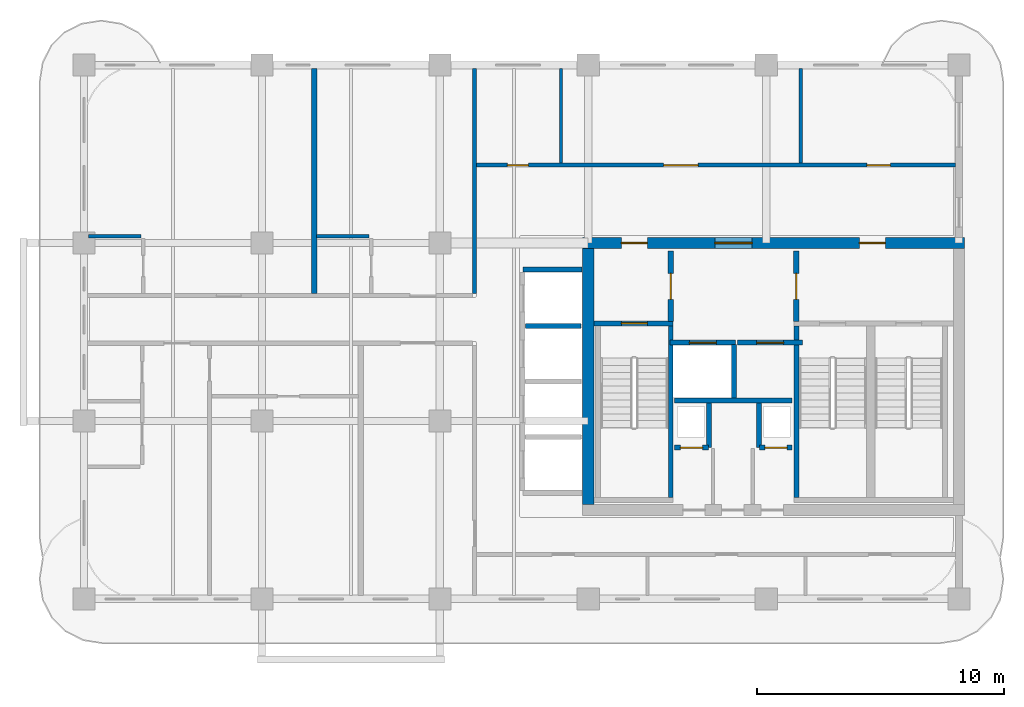
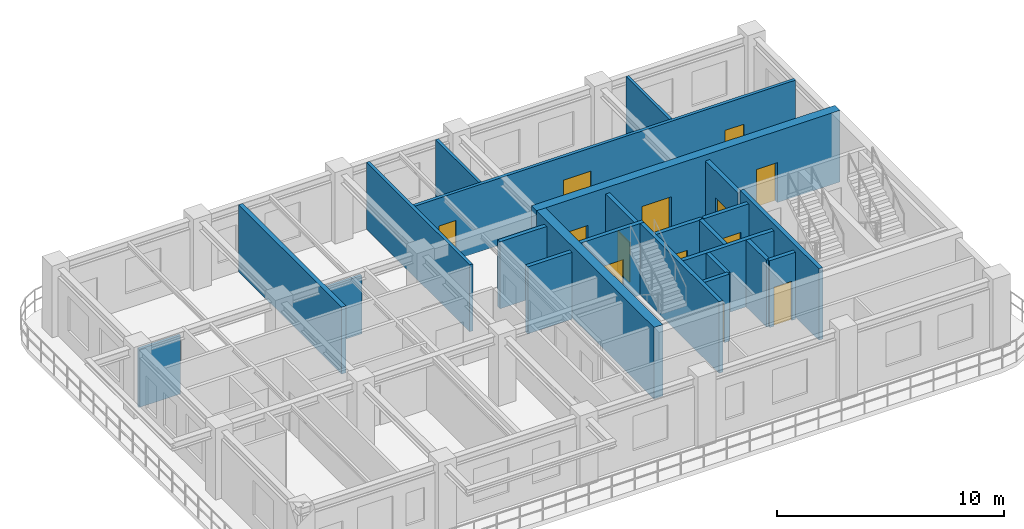
# One storey, part 4 of 7: 24 walls, 13 doors, 13 openings.
"""IFC4 building model written with IfcOpenShell, lengths in metres."""

import ifcopenshell
import ifcopenshell.guid

model = None  # the IFC model being written
_history = None  # IfcOwnerHistory: only IFC2X3 demands one
_inside = {}  # id of a spatial element -> (the spatial element, [elements in it])
_under = {}  # id of a project, library or spatial element -> (it, [spatial elements below it])
_declared = {}  # id of a project -> (the project, [libraries it declares])
_typed = {}  # id of a type object -> (the type object, [elements of that type])
_made_of = {}  # id of a material, layer set ... -> (it, [elements and type objects made of it])


def new_model(schema):
    """Start an empty IFC model of exactly this schema.

    Asked for "IFC4X3", IfcOpenShell would pick the latest addendum, in which some entities
    have other attributes; the version numbers below select the first issue.
    IFC2X3 requires an IfcOwnerHistory on every rooted entity: one is made here for all.
    """
    global model, _history
    if schema == "IFC4X3":
        model = ifcopenshell.file(schema_version=(4, 3, 0, 0))
    else:
        model = ifcopenshell.file(schema=schema)
    _inside.clear()
    _under.clear()
    _declared.clear()
    _typed.clear()
    _made_of.clear()
    _history = None
    if model.schema == "IFC2X3":
        org = make("IfcOrganization", Name="unknown")
        user = make(
            "IfcPersonAndOrganization",
            ThePerson=make("IfcPerson", FamilyName="unknown"),
            TheOrganization=org,
        )
        app = make(
            "IfcApplication",
            ApplicationDeveloper=org,
            Version="unknown",
            ApplicationFullName="unknown",
            ApplicationIdentifier="unknown",
        )
        _history = make(
            "IfcOwnerHistory",
            OwningUser=user,
            OwningApplication=app,
            ChangeAction="ADDED",
            CreationDate=0,
        )
    return model


def make(cls, **values):
    """One entity of the class cls with the attributes given. An attribute that is None is left unset."""
    return model.create_entity(
        cls, **{name: value for name, value in values.items() if value is not None}
    )


def rooted(cls, **values):
    """An entity with a GlobalId (a new one), such as an element, a storey or a relation."""
    return make(cls, GlobalId=ifcopenshell.guid.new(), OwnerHistory=_history, **values)


def si_unit(unit_type, name, prefix=None):
    """IfcSIUnit, for example si_unit("LENGTHUNIT", "METRE", prefix="MILLI")."""
    return make("IfcSIUnit", UnitType=unit_type, Prefix=prefix, Name=name)


def derived_unit(unit_type, elements):
    """IfcDerivedUnit: a product of units, each with its exponent."""
    return make(
        "IfcDerivedUnit",
        Elements=[
            make("IfcDerivedUnitElement", Unit=unit, Exponent=power)
            for unit, power in elements
        ],
        UnitType=unit_type,
    )


def assignment(units):
    """IfcUnitAssignment: the units of a project."""
    return None if units is None else make("IfcUnitAssignment", Units=units)


def point(xyz):
    """IfcCartesianPoint."""
    return None if xyz is None else make("IfcCartesianPoint", Coordinates=xyz)


def direction(xyz):
    """IfcDirection."""
    return None if xyz is None else make("IfcDirection", DirectionRatios=xyz)


def frame(location, z_axis=None, x_axis=None):
    """IfcAxis2Placement3D, a coordinate frame: its origin and axes. An axis left out is left unset."""
    return make(
        "IfcAxis2Placement3D",
        Location=point(location),
        Axis=direction(z_axis),
        RefDirection=direction(x_axis),
    )


def frame_2d(location, x_axis=None):
    """IfcAxis2Placement2D, a coordinate frame in the plane: its origin and x axis."""
    return make(
        "IfcAxis2Placement2D", Location=point(location), RefDirection=direction(x_axis)
    )


def origin():
    """The frame at (0, 0, 0) with its axes left unset."""
    return frame((0.0, 0.0, 0.0))


def place(relative_to, where):
    """IfcLocalPlacement: puts the frame where relative to a parent placement (None: the world)."""
    return make(
        "IfcLocalPlacement", PlacementRelTo=relative_to, RelativePlacement=where
    )


def context(
    kind, dimensions, precision=None, world=None, true_north=None, identifier=None
):
    """IfcGeometricRepresentationContext, for example the 3D "Model" context."""
    return make(
        "IfcGeometricRepresentationContext",
        ContextIdentifier=identifier,
        ContextType=kind,
        CoordinateSpaceDimension=dimensions,
        Precision=precision,
        WorldCoordinateSystem=world,
        TrueNorth=true_north,
    )


def subcontext(parent, identifier, kind, view, scale=None):
    """IfcGeometricRepresentationSubContext, for example "Body" below "Model"."""
    return make(
        "IfcGeometricRepresentationSubContext",
        ContextIdentifier=identifier,
        ContextType=kind,
        ParentContext=parent,
        TargetScale=scale,
        TargetView=view,
    )


def project(units=None, contexts=None):
    """IfcProject with its units and contexts."""
    return rooted(
        "IfcProject",
        Name="project",
        RepresentationContexts=contexts,
        UnitsInContext=assignment(units),
    )


def spatial(cls, under=None, at=None, **own):
    """A site, building, storey or space (cls), placed at a placement, below another one or the project."""
    s = rooted(cls, ObjectPlacement=at, **own)
    if under is not None:
        _under.setdefault(under.id(), (under, []))[1].append(s)
    return s


def profile(cls, at=None, kind="AREA", **sizes):
    """A parametric profile (cls). Its sizes go by their IFC names, for example OverallWidth=200.0."""
    return make(cls, ProfileType=kind, Position=at, **sizes)


def rectangle(**sizes):
    """IfcRectangleProfileDef."""
    return profile("IfcRectangleProfileDef", **sizes)


def extrude(swept, where, along, depth):
    """IfcExtrudedAreaSolid: the profile swept, set in the frame where, extruded along a direction by depth."""
    return make(
        "IfcExtrudedAreaSolid",
        SweptArea=swept,
        Position=where,
        ExtrudedDirection=direction(along),
        Depth=depth,
    )


def shape(context_of_items, identifier, shape_type, items):
    """IfcShapeRepresentation: the items that make up one representation, for example the "Body"."""
    return make(
        "IfcShapeRepresentation",
        ContextOfItems=context_of_items,
        RepresentationIdentifier=identifier,
        RepresentationType=shape_type,
        Items=items,
    )


def source(mapping_origin, context_of_items, identifier, shape_type, items):
    """IfcRepresentationMap: a shape defined once, which mapped items show again and again."""
    return make(
        "IfcRepresentationMap",
        MappingOrigin=mapping_origin,
        MappedRepresentation=shape(context_of_items, identifier, shape_type, items),
    )


def transform(
    local_origin,
    x_axis=None,
    y_axis=None,
    z_axis=None,
    scale=None,
    scale2=None,
    scale3=None,
    uniform=True,
):
    """IfcCartesianTransformationOperator3D, or its non-uniform kind. x_axis, y_axis, z_axis: its Axis1, 2, 3."""
    if uniform:
        return make(
            "IfcCartesianTransformationOperator3D",
            Axis1=direction(x_axis),
            Axis2=direction(y_axis),
            LocalOrigin=point(local_origin),
            Scale=scale,
            Axis3=direction(z_axis),
        )
    return make(
        "IfcCartesianTransformationOperator3DnonUniform",
        Axis1=direction(x_axis),
        Axis2=direction(y_axis),
        LocalOrigin=point(local_origin),
        Scale=scale,
        Axis3=direction(z_axis),
        Scale2=scale2,
        Scale3=scale3,
    )


def mapped(mapping_source, mapping_target):
    """IfcMappedItem: shows the shape of a source again, moved by a transform."""
    return make(
        "IfcMappedItem", MappingSource=mapping_source, MappingTarget=mapping_target
    )


def material(Name=None, Category=None):
    """IfcMaterial."""
    return make("IfcMaterial", Name=Name, Category=Category)


def layer(
    of_material, thickness, ventilated=None, Name=None, Category=None, Priority=None
):
    """IfcMaterialLayer: one layer of a wall or slab, of a material (None: an air gap)."""
    return make(
        "IfcMaterialLayer",
        Material=of_material,
        LayerThickness=thickness,
        IsVentilated=ventilated,
        Name=Name,
        Category=Category,
        Priority=Priority,
    )


def layer_set(layers, Name=None):
    """IfcMaterialLayerSet."""
    return make("IfcMaterialLayerSet", MaterialLayers=layers, LayerSetName=Name)


def made_of(thing, what):
    """Note that an element or type object is made of a material, layer set ...; save() writes the relation."""
    if what is not None:
        _made_of.setdefault(what.id(), (what, []))[1].append(thing)
    return thing


def type_object(cls, material=None, **own):
    """A type object (cls), such as IfcWallType, which elements share."""
    return made_of(rooted(cls, **own), material)


def type_shapes(of_type, sources):
    """Give a type object the sources (RepresentationMaps) that its elements show as mapped items."""
    of_type.RepresentationMaps = sources


def element(
    cls,
    number,
    at=None,
    inside=None,
    cuts=None,
    type_object=None,
    material=None,
    context=None,
    identifier="Body",
    shape_type=None,
    held_by="IfcProductDefinitionShape",
    body=None,
    shapes=None,
    **own,
):
    """One element of the class cls, such as IfcWall. Its Tag is "e" and its number.

    at: its placement. inside: the storey or other place that contains it. cuts: it is an
    opening in that element (IfcRelVoidsElement). A single representation is given by context,
    identifier, shape_type and body (its items); several are given by shapes. held_by: the class
    of the entity that holds the representations. save() writes the other relations.
    """
    e = rooted(cls, Tag="e%d" % number, ObjectPlacement=at, **own)
    if body is not None:
        shapes = [shape(context, identifier, shape_type, body)]
    if shapes is not None:
        e.Representation = make(held_by, Representations=shapes)
    if inside is not None:
        _inside.setdefault(inside.id(), (inside, []))[1].append(e)
    if cuts is not None:
        rooted(
            "IfcRelVoidsElement", RelatingBuildingElement=cuts, RelatedOpeningElement=e
        )
    if type_object is not None:
        _typed.setdefault(type_object.id(), (type_object, []))[1].append(e)
    return made_of(e, material)


def fill(opening, filler):
    """IfcRelFillsElement: the door or window that sits in an opening."""
    return rooted(
        "IfcRelFillsElement",
        RelatingOpeningElement=opening,
        RelatedBuildingElement=filler,
    )


def aggregate(whole, parts):
    """IfcRelAggregates: a whole, such as a stair, and the parts it consists of."""
    return rooted("IfcRelAggregates", RelatingObject=whole, RelatedObjects=parts)


def save(model, path):
    """Write the relations noted so far, then the file.

    IfcRelAggregates (storeys below a building ...), IfcRelContainedInSpatialStructure (elements
    in a storey), IfcRelDefinesByType, IfcRelAssociatesMaterial and IfcRelDeclares: one each for
    every whole, place, type object, material and project.
    """
    for whole, parts in _under.values():
        aggregate(whole, parts)
    for where, things in _inside.values():
        rooted(
            "IfcRelContainedInSpatialStructure",
            RelatedElements=things,
            RelatingStructure=where,
        )
    for kind, things in _typed.values():
        rooted("IfcRelDefinesByType", RelatedObjects=things, RelatingType=kind)
    for what, things in _made_of.values():
        rooted("IfcRelAssociatesMaterial", RelatedObjects=things, RelatingMaterial=what)
    for by, libraries in _declared.values():
        rooted("IfcRelDeclares", RelatingContext=by, RelatedDefinitions=libraries)
    model.write(path)


model = new_model("IFC4")

# Units and contexts
model_context = context("Model", 3, precision=1e-05, world=origin(), true_north=direction((0.0, 1.0)))
body_context = subcontext(model_context, "Body", "Model", "MODEL_VIEW")
ifc_project = project(units=[si_unit("LENGTHUNIT", "METRE"), si_unit("AREAUNIT", "SQUARE_METRE"), si_unit("VOLUMEUNIT", "CUBIC_METRE"), si_unit("PLANEANGLEUNIT", "RADIAN"), si_unit("MASSUNIT", "GRAM", prefix="KILO"), si_unit("THERMODYNAMICTEMPERATUREUNIT", "KELVIN"), si_unit("POWERUNIT", "WATT"), derived_unit("THERMALTRANSMITTANCEUNIT", [(si_unit("POWERUNIT", "WATT"), 1), (si_unit("AREAUNIT", "SQUARE_METRE"), -1), (si_unit("THERMODYNAMICTEMPERATUREUNIT", "KELVIN"), -1)])], contexts=[model_context])

# Site, building, storey
site_placement = place(None, origin())
site = spatial("IfcSite", under=ifc_project, at=site_placement, CompositionType="ELEMENT")
building_placement = place(site_placement, origin())
building = spatial("IfcBuilding", under=site, at=building_placement, Name="Zahravan Archway Hotel and Residences", CompositionType="ELEMENT")
storey_placement = place(building_placement, frame((0.0, 0.0, 236.550048828125)))
storey = spatial("IfcBuildingStorey", under=building, at=storey_placement, Name="L59", CompositionType="ELEMENT", Elevation=236.550048828125)

# Wall, openings, doors
ifc_material_1 = material(Name="Concrete C50/60", Category="concrete")
ifc_layer_1 = layer(ifc_material_1, 0.449951171875, Name="Concrete C50/60", Category="concrete")
ifc_layer_set_1 = layer_set([ifc_layer_1], Name="Concrete C50/60")
wall_type_1 = type_object("IfcWallType", Name="CW-CORE-450", PredefinedType="SHEAR", material=ifc_layer_set_1)
wall_1_placement = place(storey_placement, frame((34.574951171875, 14.39990234375, 0.0), z_axis=(0.0, 0.0, 1.0), x_axis=(1.0, 0.0, 0.0)))
wall_1 = element("IfcWall", 1, at=wall_1_placement, inside=storey, type_object=wall_type_1, Name="L59 Core A Shear N Wall 450 mm", PredefinedType="SHEAR", context=body_context, shape_type="SweptSolid", body=[
    extrude(rectangle(XDim=15.449951171875, YDim=0.449951171875, at=frame_2d((7.72509765625, 0.0))), origin(), (0.0, 0.0, 1.0), 3.849853515625),
])
opening_1_placement = place(wall_1_placement, frame((5.35498046875, 0.0, 0.0)))
opening_1 = element("IfcOpeningElement", 2, at=opening_1_placement, cuts=wall_1, Name="Opening FD-L1", PredefinedType="OPENING", context=body_context, shape_type="SweptSolid", body=[
    extrude(rectangle(XDim=1.5, YDim=2.199951171875, at=frame_2d((0.75, 1.10009765625))), frame((0.0, 0.23486328125, 0.0), z_axis=(0.0, -1.0, 0.0), x_axis=(1.0, 0.0, 0.0)), (0.0, 0.0, 1.0), 0.469970703125),
])
opening_2_placement = place(wall_1_placement, frame((1.570068359375, 0.0, 0.0)))
opening_2 = element("IfcOpeningElement", 3, at=opening_2_placement, cuts=wall_1, Name="Opening FD-L2", PredefinedType="OPENING", context=body_context, shape_type="SweptSolid", body=[
    extrude(rectangle(XDim=1.050048828125, YDim=2.14990234375, at=frame_2d((0.52490234375, 1.074951171875))), frame((0.0, 0.23486328125, 0.0), z_axis=(0.0, -1.0, 0.0), x_axis=(1.0, 0.0, 0.0)), (0.0, 0.0, 1.0), 0.469970703125),
])
opening_3_placement = place(wall_1_placement, frame((11.199951171875, 0.0, 0.0)))
opening_3 = element("IfcOpeningElement", 4, at=opening_3_placement, cuts=wall_1, Name="Opening FD-L2", PredefinedType="OPENING", context=body_context, shape_type="SweptSolid", body=[
    extrude(rectangle(XDim=1.050048828125, YDim=2.14990234375, at=frame_2d((0.52490234375, 1.074951171875))), frame((0.0, 0.23486328125, 0.0), z_axis=(0.0, -1.0, 0.0), x_axis=(1.0, 0.0, 0.0)), (0.0, 0.0, 1.0), 0.469970703125),
])
ifc_material_2 = material(Name="Fire-Rated Painted Steel", Category="steel")
door_type_1 = type_object("IfcDoorType", Name="FD-LOBBY-1100", OperationType="NOTDEFINED", PredefinedType="DOOR", material=ifc_material_2)
shared_shape_1 = source(origin(), body_context, "Body", "SweptSolid", [
    extrude(rectangle(XDim=1.050048828125, YDim=2.14990234375, at=frame_2d((0.52490234375, 1.074951171875))), frame((0.0, 0.02490234375, 0.0), z_axis=(0.0, -1.0, 0.0), x_axis=(1.0, 0.0, 0.0)), (0.0, 0.0, 1.0), 0.050048828125),
])
type_shapes(door_type_1, [shared_shape_1])
door_1_placement = place(opening_2_placement, origin())
door_1 = element("IfcDoor", 5, at=door_1_placement, inside=storey, type_object=door_type_1, Name="L59 Core A West Stair Lobby Door", OperationType="SINGLE_SWING_LEFT", OverallHeight=2.14990234375, OverallWidth=1.050048828125, PredefinedType="DOOR", context=body_context, shape_type="MappedRepresentation", body=[
    mapped(shared_shape_1, transform((0.0, 0.0, 0.0), scale=1.0)),
])
fill(opening_2, door_1)
door_2_placement = place(opening_3_placement, origin())
door_2 = element("IfcDoor", 6, at=door_2_placement, inside=storey, type_object=door_type_1, Name="L59 Core A East Stair Lobby Door", OperationType="SINGLE_SWING_RIGHT", OverallHeight=2.14990234375, OverallWidth=1.050048828125, PredefinedType="DOOR", context=body_context, shape_type="MappedRepresentation", body=[
    mapped(shared_shape_1, transform((0.0, 0.0, 0.0), scale=1.0)),
])
fill(opening_3, door_2)
door_type_2 = type_object("IfcDoorType", Name="FD-LOBBY-1500", OperationType="DOUBLE_DOOR_SINGLE_SWING", PredefinedType="DOOR", material=ifc_material_2)
shared_shape_2 = source(origin(), body_context, "Body", "SweptSolid", [
    extrude(rectangle(XDim=1.5, YDim=2.199951171875, at=frame_2d((0.75, 1.10009765625))), frame((0.0, 0.02490234375, 0.0), z_axis=(0.0, -1.0, 0.0), x_axis=(1.0, 0.0, 0.0)), (0.0, 0.0, 1.0), 0.050048828125),
])
type_shapes(door_type_2, [shared_shape_2])
door_3_placement = place(opening_1_placement, origin())
door_3 = element("IfcDoor", 7, at=door_3_placement, inside=storey, type_object=door_type_2, Name="L59 Core A FSAE Lobby Main Door", OperationType="DOUBLE_DOOR_SINGLE_SWING", OverallHeight=2.199951171875, OverallWidth=1.5, PredefinedType="DOOR", context=body_context, shape_type="MappedRepresentation", body=[
    mapped(shared_shape_2, transform((0.0, 0.0, 0.0), scale=1.0)),
])
fill(opening_1, door_3)

# Wall
wall_2_placement = place(storey_placement, frame((34.800048828125, 3.824951171875, 0.0), z_axis=(0.0, 0.0, 1.0), x_axis=(0.0, 1.0, 0.0)))
element("IfcWall", 8, at=wall_2_placement, inside=storey, type_object=wall_type_1, Name="L59 Core A Shear W Wall 450 mm", PredefinedType="SHEAR", context=body_context, shape_type="SweptSolid", body=[
    extrude(rectangle(XDim=10.35009765625, YDim=0.449951171875, at=frame_2d((5.175048828125, 0.0))), origin(), (0.0, 0.0, 1.0), 3.849853515625),
])

# Wall, opening, door
ifc_material_3 = material(Name="Fire-Rated Gypsum & Concrete Block", Category="concrete")
ifc_layer_2 = layer(ifc_material_3, 0.219970703125, Name="Fire-Rated Gypsum & Concrete Block", Category="concrete")
ifc_layer_set_2 = layer_set([ifc_layer_2], Name="Fire-Rated Gypsum & Concrete Block")
wall_type_2 = type_object("IfcWallType", Name="PW-COMP-220", PredefinedType="PARTITIONING", material=ifc_layer_set_2)
wall_3_placement = place(storey_placement, frame((38.139892578125, 11.219970703125, 0.0), z_axis=(0.0, 0.0, 1.0), x_axis=(0.0, 1.0, 0.0)))
wall_3 = element("IfcWall", 9, at=wall_3_placement, inside=storey, type_object=wall_type_2, Name="L59 Partition CA-LOBW", PredefinedType="PARTITIONING", context=body_context, shape_type="SweptSolid", body=[
    extrude(rectangle(XDim=2.860107421875, YDim=0.219970703125, at=frame_2d((1.43017578125, 0.0))), origin(), (0.0, 0.0, 1.0), 3.599853515625),
])
opening_4_placement = place(wall_3_placement, frame((0.905029296875, 0.0, 0.0)))
opening_4 = element("IfcOpeningElement", 10, at=opening_4_placement, cuts=wall_3, Name="Opening FD-L2", PredefinedType="OPENING", context=body_context, shape_type="SweptSolid", body=[
    extrude(rectangle(XDim=1.050048828125, YDim=2.14990234375, at=frame_2d((0.52490234375, 1.074951171875))), frame((0.0, 0.1201171875, 0.0), z_axis=(0.0, -1.0, 0.0), x_axis=(1.0, 0.0, 0.0)), (0.0, 0.0, 1.0), 0.239990234375),
])
door_4_placement = place(opening_4_placement, origin())
door_4 = element("IfcDoor", 11, at=door_4_placement, inside=storey, type_object=door_type_1, Name="L59 Core A West Stair to FSAE Lobby Door", OperationType="SINGLE_SWING_LEFT", OverallHeight=2.14990234375, OverallWidth=1.050048828125, PredefinedType="DOOR", context=body_context, shape_type="MappedRepresentation", body=[
    mapped(shared_shape_1, transform((0.0, 0.0, 0.0), scale=1.0)),
])
fill(opening_4, door_4)

wall_4_placement = place(storey_placement, frame((43.219970703125, 11.219970703125, 0.0), z_axis=(0.0, 0.0, 1.0), x_axis=(0.0, 1.0, 0.0)))
wall_4 = element("IfcWall", 12, at=wall_4_placement, inside=storey, type_object=wall_type_2, Name="L59 Partition CA-LOBE", PredefinedType="PARTITIONING", context=body_context, shape_type="SweptSolid", body=[
    extrude(rectangle(XDim=2.860107421875, YDim=0.219970703125, at=frame_2d((1.43017578125, 0.0))), origin(), (0.0, 0.0, 1.0), 3.599853515625),
])
opening_5_placement = place(wall_4_placement, frame((0.905029296875, 0.0, 0.0)))
opening_5 = element("IfcOpeningElement", 13, at=opening_5_placement, cuts=wall_4, Name="Opening FD-L2", PredefinedType="OPENING", context=body_context, shape_type="SweptSolid", body=[
    extrude(rectangle(XDim=1.050048828125, YDim=2.14990234375, at=frame_2d((0.52490234375, 1.074951171875))), frame((0.0, 0.1201171875, 0.0), z_axis=(0.0, -1.0, 0.0), x_axis=(1.0, 0.0, 0.0)), (0.0, 0.0, 1.0), 0.239990234375),
])
door_5_placement = place(opening_5_placement, origin())
door_5 = element("IfcDoor", 14, at=door_5_placement, inside=storey, type_object=door_type_1, Name="L59 Core A East Stair to FSAE Lobby Door", OperationType="SINGLE_SWING_RIGHT", OverallHeight=2.14990234375, OverallWidth=1.050048828125, PredefinedType="DOOR", context=body_context, shape_type="MappedRepresentation", body=[
    mapped(shared_shape_1, transform((0.0, 0.0, 0.0), scale=1.0)),
])
fill(opening_5, door_5)

# Walls
wall_5_placement = place(storey_placement, frame((23.719970703125, 12.360107421875, 0.0), z_axis=(0.0, 0.0, 1.0), x_axis=(0.0, 1.0, 0.0)))
element("IfcWall", 15, at=wall_5_placement, inside=storey, type_object=wall_type_2, Name="L59 Partition WAN-N3", PredefinedType="PARTITIONING", context=body_context, shape_type="SweptSolid", body=[
    extrude(rectangle(XDim=9.091796875, YDim=0.219970703125, at=frame_2d((4.5458984375, 0.0))), origin(), (0.0, 0.0, 1.0), 3.599853515625),
])
ifc_layer_3 = layer(ifc_material_3, 0.159912109375, Name="Fire-Rated Gypsum & Concrete Block", Category="concrete")
ifc_layer_set_3 = layer_set([ifc_layer_3], Name="Fire-Rated Gypsum & Concrete Block")
wall_type_3 = type_object("IfcWallType", Name="PW-CORR-160", PredefinedType="PARTITIONING", material=ifc_layer_set_3)
wall_6_placement = place(storey_placement, frame((30.199951171875, 12.360107421875, 0.0), z_axis=(0.0, 0.0, 1.0), x_axis=(0.0, 1.0, 0.0)))
element("IfcWall", 16, at=wall_6_placement, inside=storey, type_object=wall_type_3, Name="L59 Partition WA-FW", PredefinedType="PARTITIONING", context=body_context, shape_type="SweptSolid", body=[
    extrude(rectangle(XDim=9.099853515625, YDim=0.159912109375, at=frame_2d((4.5498046875, 0.0))), origin(), (0.0, 0.0, 1.0), 3.599853515625),
])

# Wall, openings, doors
wall_7_placement = place(storey_placement, frame((30.2900390625, 17.550048828125, 0.0), z_axis=(0.0, 0.0, 1.0), x_axis=(1.0, 0.0, 0.0)))
wall_7 = element("IfcWall", 17, at=wall_7_placement, inside=storey, type_object=wall_type_3, Name="L59 Partition WA-FN", PredefinedType="PARTITIONING", context=body_context, shape_type="SweptSolid", body=[
    extrude(rectangle(XDim=19.369873046875, YDim=0.159912109375, at=frame_2d((9.68505859375, 0.0))), origin(), (0.0, 0.0, 1.0), 3.599853515625),
])
opening_6_placement = place(wall_7_placement, frame((1.235107421875, 0.0, 0.0)))
opening_6 = element("IfcOpeningElement", 18, at=opening_6_placement, cuts=wall_7, Name="Opening D-B1", PredefinedType="OPENING", context=body_context, shape_type="SweptSolid", body=[
    extrude(rectangle(XDim=0.85009765625, YDim=2.10009765625, at=frame_2d((0.425048828125, 1.050048828125))), frame((0.0, 0.08984375, 0.0), z_axis=(0.0, -1.0, 0.0), x_axis=(1.0, 0.0, 0.0)), (0.0, 0.0, 1.0), 0.179931640625),
])
opening_7_placement = place(wall_7_placement, frame((7.56005859375, 0.0, 0.0)))
opening_7 = element("IfcOpeningElement", 19, at=opening_7_placement, cuts=wall_7, Name="Opening D-P1", PredefinedType="OPENING", context=body_context, shape_type="SweptSolid", body=[
    extrude(rectangle(XDim=1.39990234375, YDim=2.35009765625, at=frame_2d((0.699951171875, 1.175048828125))), frame((0.0, 0.08984375, 0.0), z_axis=(0.0, -1.0, 0.0), x_axis=(1.0, 0.0, 0.0)), (0.0, 0.0, 1.0), 0.179931640625),
])
opening_8_placement = place(wall_7_placement, frame((15.784912109375, 0.0, 0.0)))
opening_8 = element("IfcOpeningElement", 20, at=opening_8_placement, cuts=wall_7, Name="Opening D-I1", PredefinedType="OPENING", context=body_context, shape_type="SweptSolid", body=[
    extrude(rectangle(XDim=0.949951171875, YDim=2.14990234375, at=frame_2d((0.47509765625, 1.074951171875))), frame((0.0, 0.08984375, 0.0), z_axis=(0.0, -1.0, 0.0), x_axis=(1.0, 0.0, 0.0)), (0.0, 0.0, 1.0), 0.179931640625),
])
ifc_material_4 = material(Name="Hardwood Veneer Timber", Category="wood")
door_type_3 = type_object("IfcDoorType", Name="ID-BATH-850", OperationType="NOTDEFINED", PredefinedType="DOOR", material=ifc_material_4)
shared_shape_3 = source(origin(), body_context, "Body", "SweptSolid", [
    extrude(rectangle(XDim=0.85009765625, YDim=2.10009765625, at=frame_2d((0.425048828125, 1.050048828125))), frame((0.0, 0.02490234375, 0.0), z_axis=(0.0, -1.0, 0.0), x_axis=(1.0, 0.0, 0.0)), (0.0, 0.0, 1.0), 0.050048828125),
])
type_shapes(door_type_3, [shared_shape_3])
door_6_placement = place(opening_6_placement, origin())
door_6 = element("IfcDoor", 21, at=door_6_placement, inside=storey, type_object=door_type_3, Name="L59 Accessible WC Door", OperationType="SINGLE_SWING_RIGHT", OverallHeight=2.10009765625, OverallWidth=0.85009765625, PredefinedType="DOOR", context=body_context, shape_type="MappedRepresentation", body=[
    mapped(shared_shape_3, transform((0.0, 0.0, 0.0), scale=1.0)),
])
fill(opening_6, door_6)
ifc_material_5 = material(Name="Bronze-Anodized Glazed Aluminium", Category="aluminium")
door_type_4 = type_object("IfcDoorType", Name="ID-PUBLIC-1400", OperationType="DOUBLE_DOOR_SINGLE_SWING", PredefinedType="DOOR", material=ifc_material_5)
shared_shape_4 = source(origin(), body_context, "Body", "SweptSolid", [
    extrude(rectangle(XDim=1.39990234375, YDim=2.35009765625, at=frame_2d((0.699951171875, 1.175048828125))), frame((0.0, 0.02490234375, 0.0), z_axis=(0.0, -1.0, 0.0), x_axis=(1.0, 0.0, 0.0)), (0.0, 0.0, 1.0), 0.050048828125),
])
type_shapes(door_type_4, [shared_shape_4])
door_7_placement = place(opening_7_placement, origin())
door_7 = element("IfcDoor", 22, at=door_7_placement, inside=storey, type_object=door_type_4, Name="L59 Private Dining Door", OperationType="DOUBLE_DOOR_SINGLE_SWING", OverallHeight=2.35009765625, OverallWidth=1.39990234375, PredefinedType="DOOR", context=body_context, shape_type="MappedRepresentation", body=[
    mapped(shared_shape_4, transform((0.0, 0.0, 0.0), scale=1.0)),
])
fill(opening_7, door_7)
door_type_5 = type_object("IfcDoorType", Name="ID-INT-950", OperationType="NOTDEFINED", PredefinedType="DOOR", material=ifc_material_4)
shared_shape_5 = source(origin(), body_context, "Body", "SweptSolid", [
    extrude(rectangle(XDim=0.949951171875, YDim=2.14990234375, at=frame_2d((0.47509765625, 1.074951171875))), frame((0.0, 0.02490234375, 0.0), z_axis=(0.0, -1.0, 0.0), x_axis=(1.0, 0.0, 0.0)), (0.0, 0.0, 1.0), 0.050048828125),
])
type_shapes(door_type_5, [shared_shape_5])
door_8_placement = place(opening_8_placement, origin())
door_8 = element("IfcDoor", 23, at=door_8_placement, inside=storey, type_object=door_type_5, Name="L59 Quiet Musalla Door", OperationType="SINGLE_SWING_LEFT", OverallHeight=2.14990234375, OverallWidth=0.949951171875, PredefinedType="DOOR", context=body_context, shape_type="MappedRepresentation", body=[
    mapped(shared_shape_5, transform((0.0, 0.0, 0.0), scale=1.0)),
])
fill(opening_8, door_8)

# Walls
ifc_layer_4 = layer(ifc_material_3, 0.199951171875, Name="Fire-Rated Gypsum & Concrete Block", Category="concrete")
ifc_layer_set_4 = layer_set([ifc_layer_4], Name="Fire-Rated Gypsum & Concrete Block")
wall_type_4 = type_object("IfcWallType", Name="PW-SHAFT-200", PredefinedType="PARTITIONING", material=ifc_layer_set_4)
wall_8_placement = place(storey_placement, frame((38.300048828125, 8.030029296875, 0.0), z_axis=(0.0, 0.0, 1.0), x_axis=(1.0, 0.0, 0.0)))
element("IfcWall", 24, at=wall_8_placement, inside=storey, type_object=wall_type_4, Name="L59 Partition CA-FLS", PredefinedType="PARTITIONING", context=body_context, shape_type="SweptSolid", body=[
    extrude(rectangle(XDim=4.739990234375, YDim=0.199951171875, at=frame_2d((2.3701171875, 0.0))), origin(), (0.0, 0.0, 1.0), 3.599853515625),
])
wall_9_placement = place(storey_placement, frame((40.699951171875, 8.1201171875, 0.0), z_axis=(0.0, 0.0, 1.0), x_axis=(0.0, 1.0, 0.0)))
element("IfcWall", 25, at=wall_9_placement, inside=storey, type_object=wall_type_4, Name="L59 Partition CA-FLM", PredefinedType="PARTITIONING", context=body_context, shape_type="SweptSolid", body=[
    extrude(rectangle(XDim=2.179931640625, YDim=0.199951171875, at=frame_2d((1.08984375, 0.0))), origin(), (0.0, 0.0, 1.0), 3.599853515625),
])

# Wall, opening, door
wall_10_placement = place(storey_placement, frame((38.2900390625, 6.1201171875, 0.0), z_axis=(0.0, 0.0, 1.0), x_axis=(1.0, 0.0, 0.0)))
wall_10 = element("IfcWall", 26, at=wall_10_placement, inside=storey, type_object=wall_type_4, Name="L59 Partition CA-SMKS", PredefinedType="PARTITIONING", context=body_context, shape_type="SweptSolid", body=[
    extrude(rectangle(XDim=1.3798828125, YDim=0.199951171875, at=frame_2d((0.68994140625, 0.0))), origin(), (0.0, 0.0, 1.0), 3.599853515625),
])
opening_9_placement = place(wall_10_placement, frame((0.239990234375, 0.0, 0.0)))
opening_9 = element("IfcOpeningElement", 27, at=opening_9_placement, cuts=wall_10, Name="Opening FD-R1", PredefinedType="OPENING", context=body_context, shape_type="SweptSolid", body=[
    extrude(rectangle(XDim=0.89990234375, YDim=2.10009765625, at=frame_2d((0.449951171875, 1.050048828125))), frame((0.0, 0.10986328125, 0.0), z_axis=(0.0, -1.0, 0.0), x_axis=(1.0, 0.0, 0.0)), (0.0, 0.0, 1.0), 0.219970703125),
])
door_type_6 = type_object("IfcDoorType", Name="FD-RISER-900", OperationType="NOTDEFINED", PredefinedType="DOOR", material=ifc_material_2)
shared_shape_6 = source(origin(), body_context, "Body", "SweptSolid", [
    extrude(rectangle(XDim=0.89990234375, YDim=2.10009765625, at=frame_2d((0.449951171875, 1.050048828125))), frame((0.0, 0.02490234375, 0.0), z_axis=(0.0, -1.0, 0.0), x_axis=(1.0, 0.0, 0.0)), (0.0, 0.0, 1.0), 0.050048828125),
])
type_shapes(door_type_6, [shared_shape_6])
door_9_placement = place(opening_9_placement, origin())
door_9 = element("IfcDoor", 28, at=door_9_placement, inside=storey, type_object=door_type_6, Name="L59 Smoke Riser Access Door", OperationType="SINGLE_SWING_LEFT", OverallHeight=2.10009765625, OverallWidth=0.89990234375, PredefinedType="DOOR", context=body_context, shape_type="MappedRepresentation", body=[
    mapped(shared_shape_6, transform((0.0, 0.0, 0.0), scale=1.0)),
])
fill(opening_9, door_9)

# Wall
wall_11_placement = place(storey_placement, frame((39.679931640625, 6.1298828125, 0.0), z_axis=(0.0, 0.0, 1.0), x_axis=(0.0, 1.0, 0.0)))
element("IfcWall", 29, at=wall_11_placement, inside=storey, type_object=wall_type_4, Name="L59 Partition CA-SMKE", PredefinedType="PARTITIONING", context=body_context, shape_type="SweptSolid", body=[
    extrude(rectangle(XDim=1.7900390625, YDim=0.199951171875, at=frame_2d((0.89501953125, 0.0))), origin(), (0.0, 0.0, 1.0), 3.599853515625),
])

# Wall, opening, door
wall_12_placement = place(storey_placement, frame((41.72998046875, 6.1201171875, 0.0), z_axis=(0.0, 0.0, 1.0), x_axis=(1.0, 0.0, 0.0)))
wall_12 = element("IfcWall", 30, at=wall_12_placement, inside=storey, type_object=wall_type_4, Name="L59 Partition CA-MEPS", PredefinedType="PARTITIONING", context=body_context, shape_type="SweptSolid", body=[
    extrude(rectangle(XDim=1.320068359375, YDim=0.199951171875, at=frame_2d((0.66015625, 0.0))), origin(), (0.0, 0.0, 1.0), 3.599853515625),
])
opening_10_placement = place(wall_12_placement, frame((0.219970703125, 0.0, 0.0)))
opening_10 = element("IfcOpeningElement", 31, at=opening_10_placement, cuts=wall_12, Name="Opening FD-R1", PredefinedType="OPENING", context=body_context, shape_type="SweptSolid", body=[
    extrude(rectangle(XDim=0.89990234375, YDim=2.10009765625, at=frame_2d((0.449951171875, 1.050048828125))), frame((0.0, 0.10986328125, 0.0), z_axis=(0.0, -1.0, 0.0), x_axis=(1.0, 0.0, 0.0)), (0.0, 0.0, 1.0), 0.219970703125),
])
door_10_placement = place(opening_10_placement, origin())
door_10 = element("IfcDoor", 32, at=door_10_placement, inside=storey, type_object=door_type_6, Name="L59 MEP Riser Access Door", OperationType="SINGLE_SWING_RIGHT", OverallHeight=2.10009765625, OverallWidth=0.89990234375, PredefinedType="DOOR", context=body_context, shape_type="MappedRepresentation", body=[
    mapped(shared_shape_6, transform((0.0, 0.0, 0.0), scale=1.0)),
])
fill(opening_10, door_10)

# Walls
wall_13_placement = place(storey_placement, frame((41.719970703125, 6.1298828125, 0.0), z_axis=(0.0, 0.0, 1.0), x_axis=(0.0, 1.0, 0.0)))
element("IfcWall", 33, at=wall_13_placement, inside=storey, type_object=wall_type_4, Name="L59 Partition CA-MEPW", PredefinedType="PARTITIONING", context=body_context, shape_type="SweptSolid", body=[
    extrude(rectangle(XDim=1.7900390625, YDim=0.199951171875, at=frame_2d((0.89501953125, 0.0))), origin(), (0.0, 0.0, 1.0), 3.599853515625),
])
wall_14_placement = place(storey_placement, frame((32.159912109375, 13.320068359375, 0.0), z_axis=(0.0, 0.0, 1.0), x_axis=(1.0, 0.0, 0.0)))
element("IfcWall", 34, at=wall_14_placement, inside=storey, type_object=wall_type_4, Name="L59 Partition B3-N", PredefinedType="PARTITIONING", context=body_context, shape_type="SweptSolid", body=[
    extrude(rectangle(XDim=2.385009765625, YDim=0.199951171875, at=frame_2d((1.1923828125, 0.0))), origin(), (0.0, 0.0, 1.0), 3.599853515625),
])
wall_15_placement = place(storey_placement, frame((32.260009765625, 11.0400390625, 0.0), z_axis=(0.0, 0.0, 1.0), x_axis=(1.0, 0.0, 0.0)))
element("IfcWall", 35, at=wall_15_placement, inside=storey, type_object=wall_type_4, Name="L59 Partition B3-D", PredefinedType="PARTITIONING", context=body_context, shape_type="SweptSolid", body=[
    extrude(rectangle(XDim=2.2548828125, YDim=0.199951171875, at=frame_2d((1.12744140625, 0.0))), origin(), (0.0, 0.0, 1.0), 3.599853515625),
])

# Wall, opening, door
wall_16_placement = place(storey_placement, frame((38.1201171875, 10.3701171875, 0.0), z_axis=(0.0, 0.0, 1.0), x_axis=(1.0, 0.0, 0.0)))
wall_16 = element("IfcWall", 36, at=wall_16_placement, inside=storey, type_object=wall_type_4, Name="L59 Lift FL-1 Front Wall", PredefinedType="PARTITIONING", context=body_context, shape_type="SweptSolid", body=[
    extrude(rectangle(XDim=2.639892578125, YDim=0.199951171875, at=frame_2d((1.31982421875, 0.0))), origin(), (0.0, 0.0, 1.0), 3.599853515625),
])
opening_11_placement = place(wall_16_placement, frame((0.77001953125, 0.0, 0.0)))
opening_11 = element("IfcOpeningElement", 37, at=opening_11_placement, cuts=wall_16, Name="Opening LD", PredefinedType="OPENING", context=body_context, shape_type="SweptSolid", body=[
    extrude(rectangle(XDim=1.10009765625, YDim=2.199951171875, at=frame_2d((0.550048828125, 1.10009765625))), frame((0.0, 0.10986328125, 0.0), z_axis=(0.0, -1.0, 0.0), x_axis=(1.0, 0.0, 0.0)), (0.0, 0.0, 1.0), 0.219970703125),
])
ifc_material_6 = material(Name="Brushed Stainless Steel", Category="steel")
door_type_7 = type_object("IfcDoorType", Name="DR-LIFT-LD", OperationType="SLIDING_TO_LEFT", PredefinedType="DOOR", material=ifc_material_6)
shared_shape_7 = source(origin(), body_context, "Body", "SweptSolid", [
    extrude(rectangle(XDim=1.10009765625, YDim=2.199951171875, at=frame_2d((0.550048828125, 1.10009765625))), frame((0.0, 0.02490234375, 0.0), z_axis=(0.0, -1.0, 0.0), x_axis=(1.0, 0.0, 0.0)), (0.0, 0.0, 1.0), 0.050048828125),
])
type_shapes(door_type_7, [shared_shape_7])
door_11_placement = place(opening_11_placement, origin())
door_11 = element("IfcDoor", 38, at=door_11_placement, inside=storey, type_object=door_type_7, Name="L59 Lift FL-1 Sliding Landing Door", OperationType="SLIDING_TO_LEFT", OverallHeight=2.199951171875, OverallWidth=1.10009765625, PredefinedType="DOOR", context=body_context, shape_type="MappedRepresentation", body=[
    mapped(shared_shape_7, transform((0.0, 0.0, 0.0), scale=1.0)),
])
fill(opening_11, door_11)

wall_17_placement = place(storey_placement, frame((40.840087890625, 10.3701171875, 0.0), z_axis=(0.0, 0.0, 1.0), x_axis=(1.0, 0.0, 0.0)))
wall_17 = element("IfcWall", 39, at=wall_17_placement, inside=storey, type_object=wall_type_4, Name="L59 Lift FL-2 Front Wall", PredefinedType="PARTITIONING", context=body_context, shape_type="SweptSolid", body=[
    extrude(rectangle(XDim=2.639892578125, YDim=0.199951171875, at=frame_2d((1.31982421875, 0.0))), origin(), (0.0, 0.0, 1.0), 3.599853515625),
])
opening_12_placement = place(wall_17_placement, frame((0.77001953125, 0.0, 0.0)))
opening_12 = element("IfcOpeningElement", 40, at=opening_12_placement, cuts=wall_17, Name="Opening LD", PredefinedType="OPENING", context=body_context, shape_type="SweptSolid", body=[
    extrude(rectangle(XDim=1.10009765625, YDim=2.199951171875, at=frame_2d((0.550048828125, 1.10009765625))), frame((0.0, 0.10986328125, 0.0), z_axis=(0.0, -1.0, 0.0), x_axis=(1.0, 0.0, 0.0)), (0.0, 0.0, 1.0), 0.219970703125),
])
door_12_placement = place(opening_12_placement, origin())
door_12 = element("IfcDoor", 41, at=door_12_placement, inside=storey, type_object=door_type_7, Name="L59 Lift FL-2 Sliding Landing Door", OperationType="SLIDING_TO_LEFT", OverallHeight=2.199951171875, OverallWidth=1.10009765625, PredefinedType="DOOR", context=body_context, shape_type="MappedRepresentation", body=[
    mapped(shared_shape_7, transform((0.0, 0.0, 0.0), scale=1.0)),
])
fill(opening_12, door_12)

# Walls
ifc_material_7 = material(Name="Moisture-Resistant Blockwork", Category="masonry")
ifc_layer_5 = layer(ifc_material_7, 0.139892578125, Name="Moisture-Resistant Blockwork", Category="masonry")
ifc_layer_set_5 = layer_set([ifc_layer_5], Name="Moisture-Resistant Blockwork")
wall_type_5 = type_object("IfcWallType", Name="PW-WET-140", PredefinedType="PARTITIONING", material=ifc_layer_set_5)
for number, where, z_axis, x_axis, name in (
    (42, (33.699951171875, 17.639892578125, 0.0), (0.0, 0.0, 1.0), (0.0, 1.0, 0.0), "L59 Partition NE3-1"),
    (43, (43.39990234375, 17.639892578125, 0.0), (0.0, 0.0, 1.0), (0.0, 1.0, 0.0), "L59 Partition NE3-2"),
):
    element("IfcWall", number, at=place(storey_placement, frame(where, z_axis=z_axis, x_axis=x_axis)), inside=storey, type_object=wall_type_5, Name=name, PredefinedType="PARTITIONING", context=body_context, shape_type="SweptSolid", body=[
        extrude(rectangle(XDim=3.81201171875, YDim=0.139892578125, at=frame_2d((1.906005859375, 0.0))), origin(), (0.0, 0.0, 1.0), 3.599853515625),
    ])
for number, where, z_axis, x_axis, name in (
    (44, (14.590087890625, 14.669921875, 0.0), (0.0, 0.0, 1.0), (1.0, 0.0, 0.0), "L59 Partition HKB-H85"),
    (45, (23.81005859375, 14.669921875, 0.0), (0.0, 0.0, 1.0), (1.0, 0.0, 0.0), "L59 Partition HKB-H86"),
):
    element("IfcWall", number, at=place(storey_placement, frame(where, z_axis=z_axis, x_axis=x_axis)), inside=storey, type_object=wall_type_5, Name=name, PredefinedType="PARTITIONING", context=body_context, shape_type="SweptSolid", body=[
        extrude(rectangle(XDim=2.119873046875, YDim=0.139892578125, at=frame_2d((1.06005859375, 0.0))), origin(), (0.0, 0.0, 1.0), 3.135009765625),
    ])
ifc_layer_6 = layer(ifc_material_1, 0.199951171875, Name="Concrete C50/60", Category="concrete")
ifc_layer_set_6 = layer_set([ifc_layer_6], Name="Concrete C50/60")
wall_type_6 = type_object("IfcWallType", Name="SW-STAIR-200", PredefinedType="SHEAR", material=ifc_layer_set_6)
wall_18_placement = place(storey_placement, frame((38.139892578125, 4.10009765625, 0.0), z_axis=(0.0, 0.0, 1.0), x_axis=(0.0, 1.0, 0.0)))
element("IfcWall", 46, at=wall_18_placement, inside=storey, type_object=wall_type_6, Name="L59 Stairwell RC Wall CA-SA1E", PredefinedType="SHEAR", context=body_context, shape_type="SweptSolid", body=[
    extrude(rectangle(XDim=6.949951171875, YDim=0.199951171875, at=frame_2d((3.47509765625, 0.0))), origin(), (0.0, 0.0, 1.0), 3.849853515625),
])

# Wall, opening, door
wall_19_placement = place(storey_placement, frame((35.02490234375, 11.14990234375, 0.0), z_axis=(0.0, 0.0, 1.0), x_axis=(1.0, 0.0, 0.0)))
wall_19 = element("IfcWall", 47, at=wall_19_placement, inside=storey, type_object=wall_type_6, Name="L59 Stairwell RC Wall CA-SA1N", PredefinedType="SHEAR", context=body_context, shape_type="SweptSolid", body=[
    extrude(rectangle(XDim=3.215087890625, YDim=0.199951171875, at=frame_2d((1.607421875, 0.0))), origin(), (0.0, 0.0, 1.0), 3.849853515625),
])
opening_13_placement = place(wall_19_placement, frame((1.1201171875, 0.0, 0.0)))
opening_13 = element("IfcOpeningElement", 48, at=opening_13_placement, cuts=wall_19, Name="Opening FD-S1", PredefinedType="OPENING", context=body_context, shape_type="SweptSolid", body=[
    extrude(rectangle(XDim=1.050048828125, YDim=2.199951171875, at=frame_2d((0.52490234375, 1.10009765625))), frame((0.0, 0.10986328125, 0.0), z_axis=(0.0, -1.0, 0.0), x_axis=(1.0, 0.0, 0.0)), (0.0, 0.0, 1.0), 0.219970703125),
])
door_type_8 = type_object("IfcDoorType", Name="FD-STAIR-1100", OperationType="NOTDEFINED", PredefinedType="DOOR", material=ifc_material_2)
shared_shape_8 = source(origin(), body_context, "Body", "SweptSolid", [
    extrude(rectangle(XDim=1.050048828125, YDim=2.199951171875, at=frame_2d((0.52490234375, 1.10009765625))), frame((0.0, 0.02490234375, 0.0), z_axis=(0.0, -1.0, 0.0), x_axis=(1.0, 0.0, 0.0)), (0.0, 0.0, 1.0), 0.050048828125),
])
type_shapes(door_type_8, [shared_shape_8])
door_13_placement = place(opening_13_placement, origin())
door_13 = element("IfcDoor", 49, at=door_13_placement, inside=storey, type_object=door_type_8, Name="L59 Stair ST-A1 Door", OperationType="SINGLE_SWING_RIGHT", OverallHeight=2.199951171875, OverallWidth=1.050048828125, PredefinedType="DOOR", context=body_context, shape_type="MappedRepresentation", body=[
    mapped(shared_shape_8, transform((0.0, 0.0, 0.0), scale=1.0)),
])
fill(opening_13, door_13)

# Wall
wall_20_placement = place(storey_placement, frame((43.219970703125, 4.10009765625, 0.0), z_axis=(0.0, 0.0, 1.0), x_axis=(0.0, 1.0, 0.0)))
element("IfcWall", 50, at=wall_20_placement, inside=storey, type_object=wall_type_6, Name="L59 Stairwell RC Wall CA-SA2W", PredefinedType="SHEAR", context=body_context, shape_type="SweptSolid", body=[
    extrude(rectangle(XDim=6.949951171875, YDim=0.199951171875, at=frame_2d((3.47509765625, 0.0))), origin(), (0.0, 0.0, 1.0), 3.849853515625),
])

save(model, "model.ifc")
